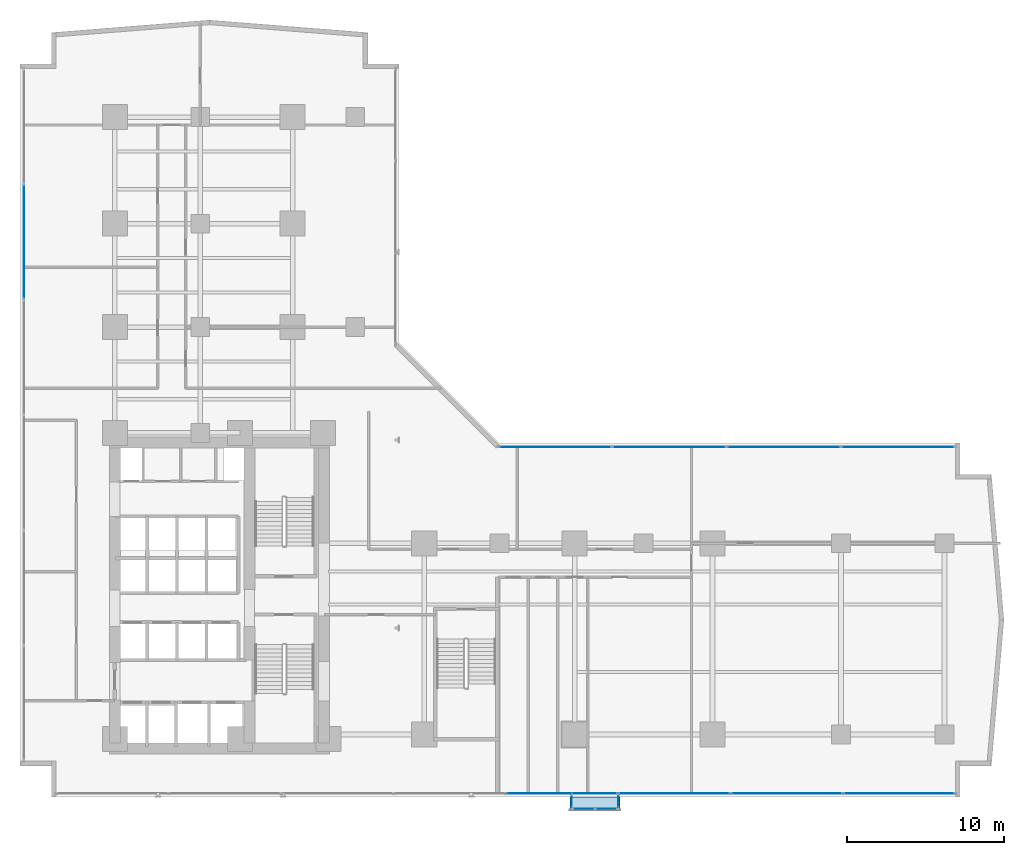
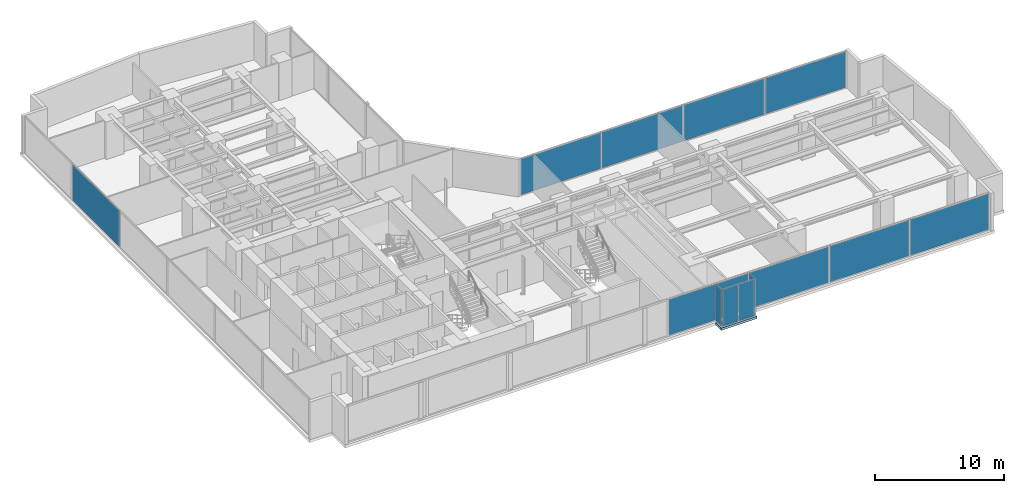
# One storey, part 21 of 28: 13 plates, 1 slab, 6 elements without a shape of their own.
"""IFC4 building model written with IfcOpenShell, lengths in metres."""

from ifc_helpers import new_model, si_unit, direction, frame, origin, origin_with_axes, origin_2d, place, context, subcontext, project, spatial, polyline, rectangle, outline, extrude, source, transform, mapped, material, layer, layer_set, type_object, element, aggregate, save


model = new_model("IFC4")

# Units and contexts
model_context = context("Model", 3, precision=1e-05, world=origin(), true_north=direction((0.0, 1.0)))
body_context = subcontext(model_context, "Body", "Model", "MODEL_VIEW")
ifc_project = project(units=[si_unit("LENGTHUNIT", "METRE"), si_unit("AREAUNIT", "SQUARE_METRE"), si_unit("VOLUMEUNIT", "CUBIC_METRE"), si_unit("PLANEANGLEUNIT", "RADIAN"), si_unit("MASSUNIT", "GRAM", prefix="KILO")], contexts=[model_context])

# Site, building, storey
site_placement = place(None, origin())
site = spatial("IfcSite", under=ifc_project, at=site_placement, CompositionType="ELEMENT")
building_placement = place(site_placement, origin())
building = spatial("IfcBuilding", under=site, at=building_placement, Name="Kolvaren Waterfront Exchange", CompositionType="ELEMENT")
storey_placement = place(building_placement, frame((0.0, 0.0, 41.0)))
storey = spatial("IfcBuildingStorey", under=building, at=storey_placement, Name="L10", CompositionType="ELEMENT", Elevation=41.0)

# Slab
ifc_material_1 = material(Name="Concrete C40/50", Category="concrete")
ifc_layer_1 = layer(ifc_material_1, 0.219970703125, Name="Concrete C40/50")
ifc_layer_set_1 = layer_set([ifc_layer_1], Name="Concrete C40/50")
slab_type = type_object("IfcSlabType", Name="STR-TERR-220", PredefinedType="FLOOR", material=ifc_layer_set_1)
slab_placement = place(storey_placement, frame((0.0, 0.0, -0.219970703125)))
element("IfcSlab", 1, at=slab_placement, inside=storey, type_object=slab_type, Name="L10 projecting bay-box floor strip", PredefinedType="FLOOR", context=body_context, shape_type="SweptSolid", body=[
    extrude(outline(polyline([(36.5, 0.35009765625), (39.699951171875, 0.35009765625), (39.699951171875, 1.199951171875), (36.5, 1.199951171875), (36.5, 0.35009765625)])), origin(), (0.0, 0.0, 1.0), 0.219970703125),
])

# Curtain wall, plates
ifc_material_2 = material(Name="Anodised bronze aluminium 6063-T6", Category="aluminium")
ifc_layer_2 = layer(ifc_material_2, 0.219970703125, Name="Anodised bronze aluminium 6063-T6")
ifc_layer_set_2 = layer_set([ifc_layer_2], Name="Anodised bronze aluminium 6063-T6")
curtain_wall_type_1 = type_object("IfcCurtainWallType", Name="ARC-CW-SYS1", PredefinedType="USERDEFINED", material=ifc_layer_set_2)
curtain_wall_1_placement = place(storey_placement, origin())
curtain_wall_1 = element("IfcCurtainWall", 2, at=curtain_wall_1_placement, inside=storey, type_object=curtain_wall_type_1, Name="L10 stick curtain wall CW1 (CW-L10-S)", ObjectType="STICK CURTAIN WALL", PredefinedType="USERDEFINED")
ifc_material_3 = material(Name="Bronze solar control vision glass", Category="aluminium")
ifc_layer_3 = layer(ifc_material_3, 0.028076171875, Name="Bronze solar control vision glass")
ifc_layer_set_3 = layer_set([ifc_layer_3], Name="Bronze solar control vision glass")
plate_type_1 = type_object("IfcPlateType", Name="ARC-CWP-28", PredefinedType="CURTAIN_PANEL", material=ifc_layer_set_3)
shared_shape_1 = source(origin_with_axes(), body_context, "Body", "SweptSolid", [
    extrude(rectangle(XDim=7.054931640625, YDim=0.028076171875, at=origin_2d()), origin(), (0.0, 0.0, 1.0), 3.389892578125),
])
plate_1_placement = place(storey_placement, frame((57.492431640625, 1.43994140625, 0.0751953125), z_axis=(0.0, 0.0, 1.0), x_axis=(1.0, 0.0, 0.0)))
plate_1 = element("IfcPlate", 3, at=plate_1_placement, type_object=plate_type_1, Name="CW1 panel 8.1", PredefinedType="CURTAIN_PANEL", context=body_context, shape_type="MappedRepresentation", body=[
    mapped(shared_shape_1, transform((0.0, 0.0, 0.0), x_axis=(1.0, 0.0, 0.0), y_axis=(0.0, 1.0, 0.0), z_axis=(0.0, 0.0, 1.0), scale=1.0)),
])
shared_shape_2 = source(origin_with_axes(), body_context, "Body", "SweptSolid", [
    extrude(rectangle(XDim=7.094970703125, YDim=0.028076171875, at=origin_2d()), origin(), (0.0, 0.0, 1.0), 3.389892578125),
])
plate_2_placement = place(storey_placement, frame((35.987548828125, 1.43994140625, 0.0751953125), z_axis=(0.0, 0.0, 1.0), x_axis=(1.0, 0.0, 0.0)))
plate_2 = element("IfcPlate", 4, at=plate_2_placement, type_object=plate_type_1, Name="CW1 panel 5.1", PredefinedType="CURTAIN_PANEL", context=body_context, shape_type="MappedRepresentation", body=[
    mapped(shared_shape_2, transform((0.0, 0.0, 0.0), x_axis=(1.0, 0.0, 0.0), y_axis=(0.0, 1.0, 0.0), z_axis=(0.0, 0.0, 1.0), scale=1.0)),
])
plate_3_placement = place(storey_placement, frame((43.16259765625, 1.43994140625, 0.0751953125), z_axis=(0.0, 0.0, 1.0), x_axis=(1.0, 0.0, 0.0)))
plate_3 = element("IfcPlate", 5, at=plate_3_placement, type_object=plate_type_1, Name="CW1 panel 6.1", PredefinedType="CURTAIN_PANEL", context=body_context, shape_type="MappedRepresentation", body=[
    mapped(shared_shape_2, transform((0.0, 0.0, 0.0), x_axis=(1.0, 0.0, 0.0), y_axis=(0.0, 1.0, 0.0), z_axis=(0.0, 0.0, 1.0), scale=1.0)),
])
plate_4_placement = place(storey_placement, frame((50.33740234375, 1.43994140625, 0.0751953125), z_axis=(0.0, 0.0, 1.0), x_axis=(1.0, 0.0, 0.0)))
plate_4 = element("IfcPlate", 6, at=plate_4_placement, type_object=plate_type_1, Name="CW1 panel 7.1", PredefinedType="CURTAIN_PANEL", context=body_context, shape_type="MappedRepresentation", body=[
    mapped(shared_shape_2, transform((0.0, 0.0, 0.0), x_axis=(1.0, 0.0, 0.0), y_axis=(0.0, 1.0, 0.0), z_axis=(0.0, 0.0, 1.0), scale=1.0)),
])
aggregate(curtain_wall_1, [plate_2, plate_3, plate_4, plate_1])

# Curtain wall, plate
ifc_material_4 = material(Name="Anodised aluminium 6063-T6", Category="aluminium")
ifc_layer_4 = layer(ifc_material_4, 0.219970703125, Name="Anodised aluminium 6063-T6")
ifc_layer_set_4 = layer_set([ifc_layer_4], Name="Anodised aluminium 6063-T6")
curtain_wall_type_2 = type_object("IfcCurtainWallType", Name="ARC-CW-SYS2", PredefinedType="USERDEFINED", material=ifc_layer_set_4)
curtain_wall_2_placement = place(storey_placement, origin())
curtain_wall_2 = element("IfcCurtainWall", 7, at=curtain_wall_2_placement, inside=storey, type_object=curtain_wall_type_2, Name="L10 stick curtain wall CW2 (CW-L10-W)", ObjectType="STICK CURTAIN WALL", PredefinedType="USERDEFINED")
ifc_material_5 = material(Name="Acoustic laminated vision glass", Category="glass")
ifc_layer_5 = layer(ifc_material_5, 0.031982421875, Name="Acoustic laminated vision glass")
ifc_layer_set_5 = layer_set([ifc_layer_5], Name="Acoustic laminated vision glass")
plate_type_2 = type_object("IfcPlateType", Name="ARC-CWP-32", PredefinedType="CURTAIN_PANEL", material=ifc_layer_set_5)
shared_shape_3 = source(origin_with_axes(), body_context, "Body", "SweptSolid", [
    extrude(rectangle(XDim=7.28662109375, YDim=0.031982421875, at=origin_2d()), origin(), (0.0, 0.0, 1.0), 3.389892578125),
])
plate_5_placement = place(storey_placement, frame((1.639892578125, 36.64990234375, 0.0751953125), z_axis=(0.0, 0.0, 1.0), x_axis=(0.0, 1.0, 0.0)))
plate_5 = element("IfcPlate", 8, at=plate_5_placement, type_object=plate_type_2, Name="CW2 panel 5.1", PredefinedType="CURTAIN_PANEL", context=body_context, shape_type="MappedRepresentation", body=[
    mapped(shared_shape_3, transform((0.0, 0.0, 0.0), x_axis=(1.0, 0.0, 0.0), y_axis=(0.0, 1.0, 0.0), z_axis=(0.0, 0.0, 1.0), scale=1.0)),
])
aggregate(curtain_wall_2, [plate_5])

# Curtain wall, plates
curtain_wall_3_placement = place(storey_placement, origin())
curtain_wall_3 = element("IfcCurtainWall", 9, at=curtain_wall_3_placement, inside=storey, type_object=curtain_wall_type_1, Name="L10 stick curtain wall CW1 (CW-L10-EN)", ObjectType="STICK CURTAIN WALL", PredefinedType="USERDEFINED")
shared_shape_4 = source(origin_with_axes(), body_context, "Body", "SweptSolid", [
    extrude(rectangle(XDim=7.1826171875, YDim=0.028076171875, at=origin_2d()), origin(), (0.0, 0.0, 1.0), 3.389892578125),
])
plate_6_placement = place(storey_placement, frame((35.561279296875, 23.56005859375, 0.0751953125), z_axis=(0.0, 0.0, 1.0), x_axis=(1.0, 0.0, 0.0)))
plate_6 = element("IfcPlate", 10, at=plate_6_placement, type_object=plate_type_1, Name="CW1 panel 1.1", PredefinedType="CURTAIN_PANEL", context=body_context, shape_type="MappedRepresentation", body=[
    mapped(shared_shape_4, transform((0.0, 0.0, 0.0), x_axis=(1.0, 0.0, 0.0), y_axis=(0.0, 1.0, 0.0), z_axis=(0.0, 0.0, 1.0), scale=1.0)),
])
plate_7_placement = place(storey_placement, frame((57.4287109375, 23.56005859375, 0.0751953125), z_axis=(0.0, 0.0, 1.0), x_axis=(1.0, 0.0, 0.0)))
plate_7 = element("IfcPlate", 11, at=plate_7_placement, type_object=plate_type_1, Name="CW1 panel 4.1", PredefinedType="CURTAIN_PANEL", context=body_context, shape_type="MappedRepresentation", body=[
    mapped(shared_shape_4, transform((0.0, 0.0, 0.0), x_axis=(1.0, 0.0, 0.0), y_axis=(0.0, 1.0, 0.0), z_axis=(0.0, 0.0, 1.0), scale=1.0)),
])
shared_shape_5 = source(origin_with_axes(), body_context, "Body", "SweptSolid", [
    extrude(rectangle(XDim=7.222412109375, YDim=0.028076171875, at=origin_2d()), origin(), (0.0, 0.0, 1.0), 3.389892578125),
])
plate_8_placement = place(storey_placement, frame((42.84375, 23.56005859375, 0.0751953125), z_axis=(0.0, 0.0, 1.0), x_axis=(1.0, 0.0, 0.0)))
plate_8 = element("IfcPlate", 12, at=plate_8_placement, type_object=plate_type_1, Name="CW1 panel 2.1", PredefinedType="CURTAIN_PANEL", context=body_context, shape_type="MappedRepresentation", body=[
    mapped(shared_shape_5, transform((0.0, 0.0, 0.0), x_axis=(1.0, 0.0, 0.0), y_axis=(0.0, 1.0, 0.0), z_axis=(0.0, 0.0, 1.0), scale=1.0)),
])
plate_9_placement = place(storey_placement, frame((50.146240234375, 23.56005859375, 0.0751953125), z_axis=(0.0, 0.0, 1.0), x_axis=(1.0, 0.0, 0.0)))
plate_9 = element("IfcPlate", 13, at=plate_9_placement, type_object=plate_type_1, Name="CW1 panel 3.1", PredefinedType="CURTAIN_PANEL", context=body_context, shape_type="MappedRepresentation", body=[
    mapped(shared_shape_5, transform((0.0, 0.0, 0.0), x_axis=(1.0, 0.0, 0.0), y_axis=(0.0, 1.0, 0.0), z_axis=(0.0, 0.0, 1.0), scale=1.0)),
])
aggregate(curtain_wall_3, [plate_6, plate_8, plate_9, plate_7])

# Curtain wall, plate
ifc_layer_6 = layer(ifc_material_2, 0.219970703125, Name="Anodised bronze aluminium 6063-T6")
ifc_layer_set_6 = layer_set([ifc_layer_6], Name="Anodised bronze aluminium 6063-T6")
curtain_wall_type_3 = type_object("IfcCurtainWallType", Name="ARC-CW-SYS3", PredefinedType="USERDEFINED", material=ifc_layer_set_6)
curtain_wall_4_placement = place(storey_placement, origin())
curtain_wall_4 = element("IfcCurtainWall", 14, at=curtain_wall_4_placement, inside=storey, type_object=curtain_wall_type_3, Name="L10 stick curtain wall CW3 (CW-L10-BOX-W)", ObjectType="STICK CURTAIN WALL", PredefinedType="USERDEFINED")
ifc_material_6 = material(Name="Bronze tinted bay-box vision glass", Category="aluminium")
ifc_layer_7 = layer(ifc_material_6, 0.02392578125, Name="Bronze tinted bay-box vision glass")
ifc_layer_set_7 = layer_set([ifc_layer_7], Name="Bronze tinted bay-box vision glass")
plate_type_3 = type_object("IfcPlateType", Name="ARC-CWP-24", PredefinedType="CURTAIN_PANEL", material=ifc_layer_set_7)
shared_shape_6 = source(origin_with_axes(), body_context, "Body", "SweptSolid", [
    extrude(rectangle(XDim=0.830078125, YDim=0.02392578125, at=origin_2d()), origin(), (0.0, 0.0, 1.0), 3.409912109375),
])
plate_10_placement = place(storey_placement, frame((36.610107421875, 0.949951171875, 0.06494140625), z_axis=(0.0, 0.0, 1.0), x_axis=(0.0, -1.0, 0.0)))
plate_10 = element("IfcPlate", 15, at=plate_10_placement, type_object=plate_type_3, Name="CW3 panel 1.1", PredefinedType="CURTAIN_PANEL", context=body_context, shape_type="MappedRepresentation", body=[
    mapped(shared_shape_6, transform((0.0, 0.0, 0.0), x_axis=(1.0, 0.0, 0.0), y_axis=(0.0, 1.0, 0.0), z_axis=(0.0, 0.0, 1.0), scale=1.0)),
])
aggregate(curtain_wall_4, [plate_10])

curtain_wall_5_placement = place(storey_placement, origin())
curtain_wall_5 = element("IfcCurtainWall", 16, at=curtain_wall_5_placement, inside=storey, type_object=curtain_wall_type_3, Name="L10 stick curtain wall CW3 (CW-L10-BOX-E)", ObjectType="STICK CURTAIN WALL", PredefinedType="USERDEFINED")
plate_11_placement = place(storey_placement, frame((39.590087890625, 0.949951171875, 0.06494140625), z_axis=(0.0, 0.0, 1.0), x_axis=(0.0, 1.0, 0.0)))
plate_11 = element("IfcPlate", 17, at=plate_11_placement, type_object=plate_type_3, Name="CW3 panel 1.1", PredefinedType="CURTAIN_PANEL", context=body_context, shape_type="MappedRepresentation", body=[
    mapped(shared_shape_6, transform((0.0, 0.0, 0.0), x_axis=(1.0, 0.0, 0.0), y_axis=(0.0, 1.0, 0.0), z_axis=(0.0, 0.0, 1.0), scale=1.0)),
])
aggregate(curtain_wall_5, [plate_11])

# Curtain wall, plates
curtain_wall_6_placement = place(storey_placement, origin())
curtain_wall_6 = element("IfcCurtainWall", 18, at=curtain_wall_6_placement, inside=storey, type_object=curtain_wall_type_3, Name="L10 stick curtain wall CW3 (CW-L10-BOX)", ObjectType="STICK CURTAIN WALL", PredefinedType="USERDEFINED")
shared_shape_7 = source(origin_with_axes(), body_context, "Body", "SweptSolid", [
    extrude(rectangle(XDim=1.37744140625, YDim=0.02392578125, at=origin_2d()), origin(), (0.0, 0.0, 1.0), 3.409912109375),
])
plate_12_placement = place(storey_placement, frame((37.373779296875, 0.4599609375, 0.06494140625), z_axis=(0.0, 0.0, 1.0), x_axis=(1.0, 0.0, 0.0)))
plate_12 = element("IfcPlate", 19, at=plate_12_placement, type_object=plate_type_3, Name="CW3 panel 1.1", PredefinedType="CURTAIN_PANEL", context=body_context, shape_type="MappedRepresentation", body=[
    mapped(shared_shape_7, transform((0.0, 0.0, 0.0), x_axis=(1.0, 0.0, 0.0), y_axis=(0.0, 1.0, 0.0), z_axis=(0.0, 0.0, 1.0), scale=1.0)),
])
plate_13_placement = place(storey_placement, frame((38.826171875, 0.4599609375, 0.06494140625), z_axis=(0.0, 0.0, 1.0), x_axis=(1.0, 0.0, 0.0)))
plate_13 = element("IfcPlate", 20, at=plate_13_placement, type_object=plate_type_3, Name="CW3 panel 2.1", PredefinedType="CURTAIN_PANEL", context=body_context, shape_type="MappedRepresentation", body=[
    mapped(shared_shape_7, transform((0.0, 0.0, 0.0), x_axis=(1.0, 0.0, 0.0), y_axis=(0.0, 1.0, 0.0), z_axis=(0.0, 0.0, 1.0), scale=1.0)),
])
aggregate(curtain_wall_6, [plate_12, plate_13])

save(model, "model.ifc")
